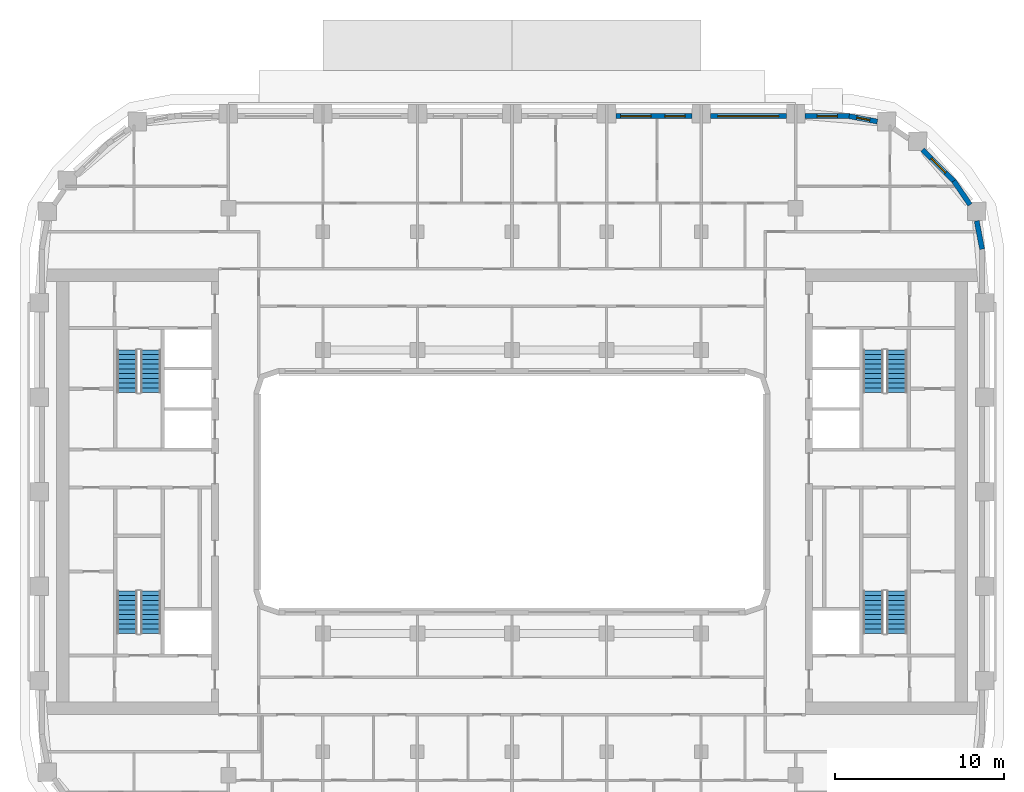
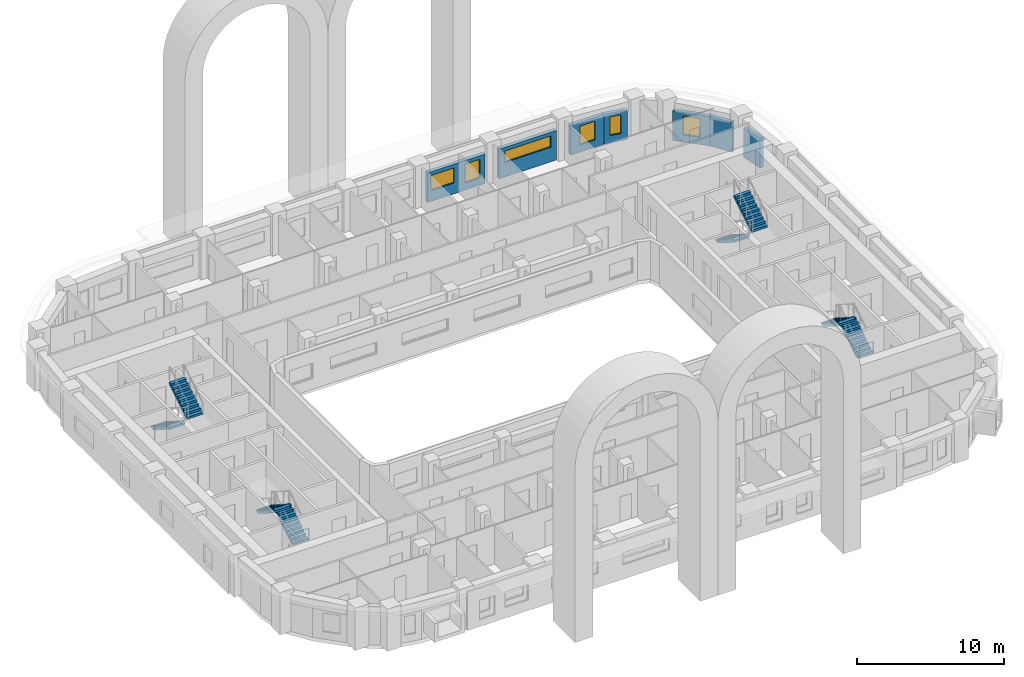
# One storey, part 10 of 18: 8 stair flights, 7 walls, 6 windows, 6 openings, 4 elements without a shape of their own.
"""IFC4 building model written with IfcOpenShell, lengths in metres."""

from ifc_helpers import new_model, si_unit, direction, frame, frame_2d, origin, place, context, subcontext, project, spatial, polyline, rectangle, outline, extrude, material, layer, layer_set, type_object, element, fill, aggregate, save


model = new_model("IFC4")

# Units and contexts
model_context = context("Model", 3, precision=1e-05, world=origin(), true_north=direction((0.0, 1.0)))
body_context = subcontext(model_context, "Body", "Model", "MODEL_VIEW")
ifc_project = project(units=[si_unit("LENGTHUNIT", "METRE"), si_unit("AREAUNIT", "SQUARE_METRE"), si_unit("VOLUMEUNIT", "CUBIC_METRE"), si_unit("PLANEANGLEUNIT", "RADIAN"), si_unit("MASSUNIT", "GRAM", prefix="KILO")], contexts=[model_context])

# Site, building, storey
site_placement = place(None, origin())
site = spatial("IfcSite", under=ifc_project, at=site_placement, CompositionType="ELEMENT")
building_placement = place(site_placement, origin())
building = spatial("IfcBuilding", under=site, at=building_placement, Name="Kiln Ring Residences", CompositionType="ELEMENT")
storey_placement = place(building_placement, frame((0.0, 0.0, 157.10009765625)))
storey = spatial("IfcBuildingStorey", under=building, at=storey_placement, Name="L40", CompositionType="ELEMENT", Elevation=157.10009765625)

# Walls
ifc_material_1 = material(Name="Brick masonry, dark clay brick", Category="masonry")
ifc_layer = layer(ifc_material_1, 0.300048828125)
ifc_layer_set = layer_set([ifc_layer], Name="EW-300 BRICK WALL")
wall_type = type_object("IfcWallType", Name="EW-300 BRICK WALL", PredefinedType="SOLIDWALL", material=ifc_layer_set)
wall_1_placement = place(storey_placement, frame((27.8525390625, 14.371826171875, 0.0), z_axis=(0.0, 0.0, 1.0), x_axis=(-0.187302784601, 0.982302227871, 0.0)))
element("IfcWall", 1, at=wall_1_placement, inside=storey, type_object=wall_type, Name="Facade wall L40 23", PredefinedType="SOLIDWALL", context=body_context, shape_type="SweptSolid", body=[
    extrude(rectangle(XDim=1.706298828125, YDim=0.300048828125, at=frame_2d((0.85302734375, 0.0))), origin(), (0.0, 0.0, 1.0), 2.449951171875),
])
wall_2_placement = place(storey_placement, frame((27.137939453125, 17.001708984375, 0.0), z_axis=(0.0, 0.0, 1.0), x_axis=(-0.562075160946, 0.827086158419, 0.0)))
element("IfcWall", 2, at=wall_2_placement, inside=storey, type_object=wall_type, Name="Facade wall L40 24", PredefinedType="SOLIDWALL", context=body_context, shape_type="SweptSolid", body=[
    extrude(rectangle(XDim=1.7060546875, YDim=0.300048828125, at=frame_2d((0.85302734375, 0.0))), origin(), (0.0, 0.0, 1.0), 2.449951171875),
])

# Wall, opening, window
wall_3_placement = place(storey_placement, frame((26.19677734375, 18.390869140625, 0.0), z_axis=(0.0, 0.0, 1.0), x_axis=(-0.707060717099, 0.707152842274, 0.0)))
wall_3 = element("IfcWall", 3, at=wall_3_placement, inside=storey, type_object=wall_type, Name="Facade wall L40 25", PredefinedType="SOLIDWALL", context=body_context, shape_type="SweptSolid", body=[
    extrude(rectangle(XDim=2.650146484375, YDim=0.300048828125, at=frame_2d((1.3251953125, 0.0))), origin(), (0.0, 0.0, 1.0), 2.449951171875),
])
opening_1_placement = place(wall_3_placement, frame((0.72509765625, 0.0, 0.60009765625)))
opening_1 = element("IfcOpeningElement", 4, at=opening_1_placement, cuts=wall_3, Name="Opening W1", PredefinedType="OPENING", context=body_context, shape_type="SweptSolid", body=[
    extrude(rectangle(XDim=1.199951171875, YDim=1.550048828125, at=frame_2d((0.60009765625, 0.77490234375))), frame((0.0, 0.159912109375, 0.0), z_axis=(0.0, -1.0, 0.0), x_axis=(1.0, 0.0, 0.0)), (0.0, 0.0, 1.0), 0.320068359375),
])
ifc_material_2 = material(Name="Aluminium frame with double glazing", Category="aluminium")
window_type_1 = type_object("IfcWindowType", Name="WINDOW 1200 x 1550", PartitioningType="SINGLE_PANEL", PredefinedType="WINDOW", material=ifc_material_2)
window_1_placement = place(opening_1_placement, origin())
window_1 = element("IfcWindow", 5, at=window_1_placement, inside=storey, type_object=window_type_1, Name="Window L40 16", OverallHeight=1.550048828125, OverallWidth=1.199951171875, PartitioningType="SINGLE_PANEL", PredefinedType="WINDOW", context=body_context, shape_type="SweptSolid", body=[
    extrude(rectangle(XDim=1.199951171875, YDim=1.550048828125, at=frame_2d((0.60009765625, 0.77490234375))), frame((0.0, 0.030029296875, 0.0), z_axis=(0.0, -1.0, 0.0), x_axis=(1.0, 0.0, 0.0)), (0.0, 0.0, 1.0), 0.06005859375),
])
fill(opening_1, window_1)

wall_4_placement = place(storey_placement, frame((21.647705078125, 21.93310546875, 0.0), z_axis=(0.0, 0.0, 1.0), x_axis=(-0.982297206936, 0.187329114784, 0.0)))
wall_4 = element("IfcWall", 6, at=wall_4_placement, inside=storey, type_object=wall_type, Name="Facade wall L40 27", PredefinedType="SOLIDWALL", context=body_context, shape_type="SweptSolid", body=[
    extrude(rectangle(XDim=1.7060546875, YDim=0.300048828125, at=frame_2d((0.85302734375, 0.0))), origin(), (0.0, 0.0, 1.0), 2.449951171875),
])
opening_2_placement = place(wall_4_placement, frame((0.453125, 0.0, 0.60009765625)))
opening_2 = element("IfcOpeningElement", 7, at=opening_2_placement, cuts=wall_4, Name="Opening W5", PredefinedType="OPENING", context=body_context, shape_type="SweptSolid", body=[
    extrude(rectangle(XDim=0.800048828125, YDim=1.550048828125, at=frame_2d((0.39990234375, 0.77490234375))), frame((0.0, 0.159912109375, 0.0), z_axis=(0.0, -1.0, 0.0), x_axis=(1.0, 0.0, 0.0)), (0.0, 0.0, 1.0), 0.320068359375),
])
ifc_material_3 = material(Name="Aluminium frame with double glazing", Category="aluminium")
window_type_2 = type_object("IfcWindowType", Name="WINDOW 800 x 1550", PartitioningType="SINGLE_PANEL", PredefinedType="WINDOW", material=ifc_material_3)
window_2_placement = place(opening_2_placement, origin())
window_2 = element("IfcWindow", 8, at=window_2_placement, inside=storey, type_object=window_type_2, Name="Window L40 17", OverallHeight=1.550048828125, OverallWidth=0.800048828125, PartitioningType="SINGLE_PANEL", PredefinedType="WINDOW", context=body_context, shape_type="SweptSolid", body=[
    extrude(rectangle(XDim=0.800048828125, YDim=1.550048828125, at=frame_2d((0.39990234375, 0.77490234375))), frame((0.0, 0.030029296875, 0.0), z_axis=(0.0, -1.0, 0.0), x_axis=(1.0, 0.0, 0.0)), (0.0, 0.0, 1.0), 0.06005859375),
])
fill(opening_2, window_2)

wall_5_placement = place(storey_placement, frame((20.0, 22.25, 0.0), z_axis=(0.0, 0.0, 1.0), x_axis=(-1.0, 0.0, 0.0)))
wall_5 = element("IfcWall", 9, at=wall_5_placement, inside=storey, type_object=wall_type, Name="Facade wall L40 28", PredefinedType="SOLIDWALL", context=body_context, shape_type="SweptSolid", body=[
    extrude(rectangle(XDim=2.64990234375, YDim=0.300048828125, at=frame_2d((1.324951171875, 0.0))), origin(), (0.0, 0.0, 1.0), 2.449951171875),
])
opening_3_placement = place(wall_5_placement, frame((0.72509765625, 0.0, 0.60009765625)))
opening_3 = element("IfcOpeningElement", 10, at=opening_3_placement, cuts=wall_5, Name="Opening W1", PredefinedType="OPENING", context=body_context, shape_type="SweptSolid", body=[
    extrude(rectangle(XDim=1.199951171875, YDim=1.550048828125, at=frame_2d((0.60009765625, 0.77490234375))), frame((0.0, 0.159912109375, 0.0), z_axis=(0.0, -1.0, 0.0), x_axis=(1.0, 0.0, 0.0)), (0.0, 0.0, 1.0), 0.320068359375),
])
window_3_placement = place(opening_3_placement, origin())
window_3 = element("IfcWindow", 11, at=window_3_placement, inside=storey, type_object=window_type_1, Name="Window L40 18", OverallHeight=1.550048828125, OverallWidth=1.199951171875, PartitioningType="SINGLE_PANEL", PredefinedType="WINDOW", context=body_context, shape_type="SweptSolid", body=[
    extrude(rectangle(XDim=1.199951171875, YDim=1.550048828125, at=frame_2d((0.60009765625, 0.77490234375))), frame((0.0, 0.030029296875, 0.0), z_axis=(0.0, -1.0, 0.0), x_axis=(1.0, 0.0, 0.0)), (0.0, 0.0, 1.0), 0.06005859375),
])
fill(opening_3, window_3)

wall_6_placement = place(storey_placement, frame((16.25, 22.25, 0.0), z_axis=(0.0, 0.0, 1.0), x_axis=(-1.0, 0.0, 0.0)))
wall_6 = element("IfcWall", 12, at=wall_6_placement, inside=storey, type_object=wall_type, Name="Facade wall L40 29", PredefinedType="SOLIDWALL", context=body_context, shape_type="SweptSolid", body=[
    extrude(rectangle(XDim=4.5, YDim=0.300048828125, at=frame_2d((2.25, 0.0))), origin(), (0.0, 0.0, 1.0), 2.449951171875),
])
opening_4_placement = place(wall_6_placement, frame((0.449951171875, 0.0, 1.199951171875)))
opening_4 = element("IfcOpeningElement", 13, at=opening_4_placement, cuts=wall_6, Name="Opening W4", PredefinedType="OPENING", context=body_context, shape_type="SweptSolid", body=[
    extrude(rectangle(XDim=3.60009765625, YDim=0.949951171875, at=frame_2d((1.800048828125, 0.47509765625))), frame((0.0, 0.159912109375, 0.0), z_axis=(0.0, -1.0, 0.0), x_axis=(1.0, 0.0, 0.0)), (0.0, 0.0, 1.0), 0.320068359375),
])
ifc_material_4 = material(Name="Aluminium frame with double glazing", Category="aluminium")
window_type_3 = type_object("IfcWindowType", Name="WINDOW 3600 x 950", PartitioningType="SINGLE_PANEL", PredefinedType="WINDOW", material=ifc_material_4)
window_4_placement = place(opening_4_placement, origin())
window_4 = element("IfcWindow", 14, at=window_4_placement, inside=storey, type_object=window_type_3, Name="Window L40 19", OverallHeight=0.949951171875, OverallWidth=3.60009765625, PartitioningType="SINGLE_PANEL", PredefinedType="WINDOW", context=body_context, shape_type="SweptSolid", body=[
    extrude(rectangle(XDim=3.60009765625, YDim=0.949951171875, at=frame_2d((1.800048828125, 0.47509765625))), frame((0.0, 0.030029296875, 0.0), z_axis=(0.0, -1.0, 0.0), x_axis=(1.0, 0.0, 0.0)), (0.0, 0.0, 1.0), 0.06005859375),
])
fill(opening_4, window_4)

# Wall, openings, windows
wall_7_placement = place(storey_placement, frame((10.64990234375, 22.25, 0.0), z_axis=(0.0, 0.0, 1.0), x_axis=(-1.0, 0.0, 0.0)))
wall_7 = element("IfcWall", 15, at=wall_7_placement, inside=storey, type_object=wall_type, Name="Facade wall L40 30", PredefinedType="SOLIDWALL", context=body_context, shape_type="SweptSolid", body=[
    extrude(rectangle(XDim=4.5, YDim=0.300048828125, at=frame_2d((2.25, 0.0))), origin(), (0.0, 0.0, 1.0), 2.449951171875),
])
opening_5_placement = place(wall_7_placement, frame((0.387451171875, 0.0, 0.60009765625)))
opening_5 = element("IfcOpeningElement", 16, at=opening_5_placement, cuts=wall_7, Name="Opening W1", PredefinedType="OPENING", context=body_context, shape_type="SweptSolid", body=[
    extrude(rectangle(XDim=1.199951171875, YDim=1.550048828125, at=frame_2d((0.60009765625, 0.77490234375))), frame((0.0, 0.159912109375, 0.0), z_axis=(0.0, -1.0, 0.0), x_axis=(1.0, 0.0, 0.0)), (0.0, 0.0, 1.0), 0.320068359375),
])
opening_6_placement = place(wall_7_placement, frame((2.41259765625, 0.0, 0.89990234375)))
opening_6 = element("IfcOpeningElement", 17, at=opening_6_placement, cuts=wall_7, Name="Opening W2", PredefinedType="OPENING", context=body_context, shape_type="SweptSolid", body=[
    extrude(rectangle(XDim=1.800048828125, YDim=1.25, at=frame_2d((0.89990234375, 0.625))), frame((0.0, 0.159912109375, 0.0), z_axis=(0.0, -1.0, 0.0), x_axis=(1.0, 0.0, 0.0)), (0.0, 0.0, 1.0), 0.320068359375),
])
window_5_placement = place(opening_5_placement, origin())
window_5 = element("IfcWindow", 18, at=window_5_placement, inside=storey, type_object=window_type_1, Name="Window L40 20", OverallHeight=1.550048828125, OverallWidth=1.199951171875, PartitioningType="SINGLE_PANEL", PredefinedType="WINDOW", context=body_context, shape_type="SweptSolid", body=[
    extrude(rectangle(XDim=1.199951171875, YDim=1.550048828125, at=frame_2d((0.60009765625, 0.77490234375))), frame((0.0, 0.030029296875, 0.0), z_axis=(0.0, -1.0, 0.0), x_axis=(1.0, 0.0, 0.0)), (0.0, 0.0, 1.0), 0.06005859375),
])
fill(opening_5, window_5)
ifc_material_5 = material(Name="Aluminium frame with double glazing", Category="aluminium")
window_type_4 = type_object("IfcWindowType", Name="WINDOW 1800 x 1250", PartitioningType="SINGLE_PANEL", PredefinedType="WINDOW", material=ifc_material_5)
window_6_placement = place(opening_6_placement, origin())
window_6 = element("IfcWindow", 19, at=window_6_placement, inside=storey, type_object=window_type_4, Name="Window L40 21", OverallHeight=1.25, OverallWidth=1.800048828125, PartitioningType="SINGLE_PANEL", PredefinedType="WINDOW", context=body_context, shape_type="SweptSolid", body=[
    extrude(rectangle(XDim=1.800048828125, YDim=1.25, at=frame_2d((0.89990234375, 0.625))), frame((0.0, 0.030029296875, 0.0), z_axis=(0.0, -1.0, 0.0), x_axis=(1.0, 0.0, 0.0)), (0.0, 0.0, 1.0), 0.06005859375),
])
fill(opening_6, window_6)

# Stair, stair flights
ifc_material_6 = material(Name="Concrete C40/50", Category="concrete")
stair_type = type_object("IfcStairType", Name="CORE-STAIR", PredefinedType="HALF_TURN_STAIR", material=ifc_material_6)
placement = place(storey_placement, origin())
stair_1 = element("IfcStair", 20, at=placement, inside=storey, type_object=stair_type, Name="L40 stair W-STN", PredefinedType="HALF_TURN_STAIR")
ifc_material_7 = material(Name="Concrete C40/50", Category="concrete")
stair_flight_type = type_object("IfcStairFlightType", Name="CORE-STAIR-FLIGHT", PredefinedType="STRAIGHT", material=ifc_material_7)
stair_flight_1_placement = place(storey_placement, frame((-22.800048828125, 8.39990234375, 0.0), z_axis=(0.0, 0.0, 1.0), x_axis=(0.0, -1.0, 0.0)))
stair_flight_1 = element("IfcStairFlight", 21, at=stair_flight_1_placement, type_object=stair_flight_type, Name="W-STN flight 1", NumberOfRisers=10, NumberOfTreads=9, PredefinedType="STRAIGHT", RiserHeight=0.175, TreadLength=0.28, context=body_context, shape_type="SweptSolid", body=[
    extrude(outline(polyline([(0.0, 0.0), (0.0, 0.175048828125), (0.280029296875, 0.175048828125), (0.280029296875, 0.35009765625), (0.56005859375, 0.35009765625), (0.56005859375, 0.52490234375), (0.840087890625, 0.52490234375), (0.840087890625, 0.699951171875), (1.1201171875, 0.699951171875), (1.1201171875, 0.875), (1.39990234375, 0.875), (1.39990234375, 1.050048828125), (1.679931640625, 1.050048828125), (1.679931640625, 1.22509765625), (1.9599609375, 1.22509765625), (1.9599609375, 1.39990234375), (2.239990234375, 1.39990234375), (2.239990234375, 1.574951171875), (2.52001953125, 1.574951171875), (2.52001953125, 1.75), (2.52001953125, 1.398193359375), (0.28271484375, 0.0), (0.0, 0.0)])), frame((0.0, 0.60009765625, 0.0), z_axis=(0.0, -1.0, 0.0), x_axis=(1.0, 0.0, 0.0)), (0.0, 0.0, 1.0), 1.199951171875),
])
stair_flight_2_placement = place(storey_placement, frame((-21.39990234375, 5.8798828125, 1.75), z_axis=(0.0, 0.0, 1.0), x_axis=(0.0, 1.0, 0.0)))
stair_flight_2 = element("IfcStairFlight", 22, at=stair_flight_2_placement, type_object=stair_flight_type, Name="W-STN flight 2", NumberOfRisers=10, NumberOfTreads=9, PredefinedType="STRAIGHT", RiserHeight=0.175, TreadLength=0.28, context=body_context, shape_type="SweptSolid", body=[
    extrude(outline(polyline([(0.0, 0.0), (0.0, 0.175048828125), (0.280029296875, 0.175048828125), (0.280029296875, 0.35009765625), (0.56005859375, 0.35009765625), (0.56005859375, 0.52490234375), (0.840087890625, 0.52490234375), (0.840087890625, 0.699951171875), (1.1201171875, 0.699951171875), (1.1201171875, 0.875), (1.39990234375, 0.875), (1.39990234375, 1.050048828125), (1.679931640625, 1.050048828125), (1.679931640625, 1.22509765625), (1.9599609375, 1.22509765625), (1.9599609375, 1.39990234375), (2.239990234375, 1.39990234375), (2.239990234375, 1.574951171875), (2.52001953125, 1.574951171875), (2.52001953125, 1.75), (2.52001953125, 1.398193359375), (0.28271484375, 0.0), (0.0, 0.0)])), frame((0.0, 0.60009765625, 0.0), z_axis=(0.0, -1.0, 0.0), x_axis=(1.0, 0.0, 0.0)), (0.0, 0.0, 1.0), 1.199951171875),
])
aggregate(stair_1, [stair_flight_1, stair_flight_2])

stair_2 = element("IfcStair", 23, at=placement, inside=storey, type_object=stair_type, Name="L40 stair W-STS", PredefinedType="HALF_TURN_STAIR")
stair_flight_3_placement = place(storey_placement, frame((-21.39990234375, -8.39990234375, 0.0), z_axis=(0.0, 0.0, 1.0), x_axis=(0.0, 1.0, 0.0)))
stair_flight_3 = element("IfcStairFlight", 24, at=stair_flight_3_placement, type_object=stair_flight_type, Name="W-STS flight 1", NumberOfRisers=10, NumberOfTreads=9, PredefinedType="STRAIGHT", RiserHeight=0.175, TreadLength=0.28, context=body_context, shape_type="SweptSolid", body=[
    extrude(outline(polyline([(0.0, 0.0), (0.0, 0.175048828125), (0.280029296875, 0.175048828125), (0.280029296875, 0.35009765625), (0.56005859375, 0.35009765625), (0.56005859375, 0.52490234375), (0.840087890625, 0.52490234375), (0.840087890625, 0.699951171875), (1.1201171875, 0.699951171875), (1.1201171875, 0.875), (1.39990234375, 0.875), (1.39990234375, 1.050048828125), (1.679931640625, 1.050048828125), (1.679931640625, 1.22509765625), (1.9599609375, 1.22509765625), (1.9599609375, 1.39990234375), (2.239990234375, 1.39990234375), (2.239990234375, 1.574951171875), (2.52001953125, 1.574951171875), (2.52001953125, 1.75), (2.52001953125, 1.398193359375), (0.28271484375, 0.0), (0.0, 0.0)])), frame((0.0, 0.60009765625, 0.0), z_axis=(0.0, -1.0, 0.0), x_axis=(1.0, 0.0, 0.0)), (0.0, 0.0, 1.0), 1.199951171875),
])
stair_flight_4_placement = place(storey_placement, frame((-22.800048828125, -5.8798828125, 1.75), z_axis=(0.0, 0.0, 1.0), x_axis=(0.0, -1.0, 0.0)))
stair_flight_4 = element("IfcStairFlight", 25, at=stair_flight_4_placement, type_object=stair_flight_type, Name="W-STS flight 2", NumberOfRisers=10, NumberOfTreads=9, PredefinedType="STRAIGHT", RiserHeight=0.175, TreadLength=0.28, context=body_context, shape_type="SweptSolid", body=[
    extrude(outline(polyline([(0.0, 0.0), (0.0, 0.175048828125), (0.280029296875, 0.175048828125), (0.280029296875, 0.35009765625), (0.56005859375, 0.35009765625), (0.56005859375, 0.52490234375), (0.840087890625, 0.52490234375), (0.840087890625, 0.699951171875), (1.1201171875, 0.699951171875), (1.1201171875, 0.875), (1.39990234375, 0.875), (1.39990234375, 1.050048828125), (1.679931640625, 1.050048828125), (1.679931640625, 1.22509765625), (1.9599609375, 1.22509765625), (1.9599609375, 1.39990234375), (2.239990234375, 1.39990234375), (2.239990234375, 1.574951171875), (2.52001953125, 1.574951171875), (2.52001953125, 1.75), (2.52001953125, 1.398193359375), (0.28271484375, 0.0), (0.0, 0.0)])), frame((0.0, 0.60009765625, 0.0), z_axis=(0.0, -1.0, 0.0), x_axis=(1.0, 0.0, 0.0)), (0.0, 0.0, 1.0), 1.199951171875),
])
aggregate(stair_2, [stair_flight_3, stair_flight_4])

stair_3 = element("IfcStair", 26, at=placement, inside=storey, type_object=stair_type, Name="L40 stair E-STN", PredefinedType="HALF_TURN_STAIR")
stair_flight_5_placement = place(storey_placement, frame((21.39990234375, 8.39990234375, 0.0), z_axis=(0.0, 0.0, 1.0), x_axis=(0.0, -1.0, 0.0)))
stair_flight_5 = element("IfcStairFlight", 27, at=stair_flight_5_placement, type_object=stair_flight_type, Name="E-STN flight 1", NumberOfRisers=10, NumberOfTreads=9, PredefinedType="STRAIGHT", RiserHeight=0.175, TreadLength=0.28, context=body_context, shape_type="SweptSolid", body=[
    extrude(outline(polyline([(0.0, 0.0), (0.0, 0.175048828125), (0.280029296875, 0.175048828125), (0.280029296875, 0.35009765625), (0.56005859375, 0.35009765625), (0.56005859375, 0.52490234375), (0.840087890625, 0.52490234375), (0.840087890625, 0.699951171875), (1.1201171875, 0.699951171875), (1.1201171875, 0.875), (1.39990234375, 0.875), (1.39990234375, 1.050048828125), (1.679931640625, 1.050048828125), (1.679931640625, 1.22509765625), (1.9599609375, 1.22509765625), (1.9599609375, 1.39990234375), (2.239990234375, 1.39990234375), (2.239990234375, 1.574951171875), (2.52001953125, 1.574951171875), (2.52001953125, 1.75), (2.52001953125, 1.398193359375), (0.28271484375, 0.0), (0.0, 0.0)])), frame((0.0, 0.60009765625, 0.0), z_axis=(0.0, -1.0, 0.0), x_axis=(1.0, 0.0, 0.0)), (0.0, 0.0, 1.0), 1.199951171875),
])
stair_flight_6_placement = place(storey_placement, frame((22.800048828125, 5.8798828125, 1.75), z_axis=(0.0, 0.0, 1.0), x_axis=(0.0, 1.0, 0.0)))
stair_flight_6 = element("IfcStairFlight", 28, at=stair_flight_6_placement, type_object=stair_flight_type, Name="E-STN flight 2", NumberOfRisers=10, NumberOfTreads=9, PredefinedType="STRAIGHT", RiserHeight=0.175, TreadLength=0.28, context=body_context, shape_type="SweptSolid", body=[
    extrude(outline(polyline([(0.0, 0.0), (0.0, 0.175048828125), (0.280029296875, 0.175048828125), (0.280029296875, 0.35009765625), (0.56005859375, 0.35009765625), (0.56005859375, 0.52490234375), (0.840087890625, 0.52490234375), (0.840087890625, 0.699951171875), (1.1201171875, 0.699951171875), (1.1201171875, 0.875), (1.39990234375, 0.875), (1.39990234375, 1.050048828125), (1.679931640625, 1.050048828125), (1.679931640625, 1.22509765625), (1.9599609375, 1.22509765625), (1.9599609375, 1.39990234375), (2.239990234375, 1.39990234375), (2.239990234375, 1.574951171875), (2.52001953125, 1.574951171875), (2.52001953125, 1.75), (2.52001953125, 1.398193359375), (0.28271484375, 0.0), (0.0, 0.0)])), frame((0.0, 0.60009765625, 0.0), z_axis=(0.0, -1.0, 0.0), x_axis=(1.0, 0.0, 0.0)), (0.0, 0.0, 1.0), 1.199951171875),
])
aggregate(stair_3, [stair_flight_5, stair_flight_6])

stair_4 = element("IfcStair", 29, at=placement, inside=storey, type_object=stair_type, Name="L40 stair E-STS", PredefinedType="HALF_TURN_STAIR")
stair_flight_7_placement = place(storey_placement, frame((22.800048828125, -8.39990234375, 0.0), z_axis=(0.0, 0.0, 1.0), x_axis=(0.0, 1.0, 0.0)))
stair_flight_7 = element("IfcStairFlight", 30, at=stair_flight_7_placement, type_object=stair_flight_type, Name="E-STS flight 1", NumberOfRisers=10, NumberOfTreads=9, PredefinedType="STRAIGHT", RiserHeight=0.175, TreadLength=0.28, context=body_context, shape_type="SweptSolid", body=[
    extrude(outline(polyline([(0.0, 0.0), (0.0, 0.175048828125), (0.280029296875, 0.175048828125), (0.280029296875, 0.35009765625), (0.56005859375, 0.35009765625), (0.56005859375, 0.52490234375), (0.840087890625, 0.52490234375), (0.840087890625, 0.699951171875), (1.1201171875, 0.699951171875), (1.1201171875, 0.875), (1.39990234375, 0.875), (1.39990234375, 1.050048828125), (1.679931640625, 1.050048828125), (1.679931640625, 1.22509765625), (1.9599609375, 1.22509765625), (1.9599609375, 1.39990234375), (2.239990234375, 1.39990234375), (2.239990234375, 1.574951171875), (2.52001953125, 1.574951171875), (2.52001953125, 1.75), (2.52001953125, 1.398193359375), (0.28271484375, 0.0), (0.0, 0.0)])), frame((0.0, 0.60009765625, 0.0), z_axis=(0.0, -1.0, 0.0), x_axis=(1.0, 0.0, 0.0)), (0.0, 0.0, 1.0), 1.199951171875),
])
stair_flight_8_placement = place(storey_placement, frame((21.39990234375, -5.8798828125, 1.75), z_axis=(0.0, 0.0, 1.0), x_axis=(0.0, -1.0, 0.0)))
stair_flight_8 = element("IfcStairFlight", 31, at=stair_flight_8_placement, type_object=stair_flight_type, Name="E-STS flight 2", NumberOfRisers=10, NumberOfTreads=9, PredefinedType="STRAIGHT", RiserHeight=0.175, TreadLength=0.28, context=body_context, shape_type="SweptSolid", body=[
    extrude(outline(polyline([(0.0, 0.0), (0.0, 0.175048828125), (0.280029296875, 0.175048828125), (0.280029296875, 0.35009765625), (0.56005859375, 0.35009765625), (0.56005859375, 0.52490234375), (0.840087890625, 0.52490234375), (0.840087890625, 0.699951171875), (1.1201171875, 0.699951171875), (1.1201171875, 0.875), (1.39990234375, 0.875), (1.39990234375, 1.050048828125), (1.679931640625, 1.050048828125), (1.679931640625, 1.22509765625), (1.9599609375, 1.22509765625), (1.9599609375, 1.39990234375), (2.239990234375, 1.39990234375), (2.239990234375, 1.574951171875), (2.52001953125, 1.574951171875), (2.52001953125, 1.75), (2.52001953125, 1.398193359375), (0.28271484375, 0.0), (0.0, 0.0)])), frame((0.0, 0.60009765625, 0.0), z_axis=(0.0, -1.0, 0.0), x_axis=(1.0, 0.0, 0.0)), (0.0, 0.0, 1.0), 1.199951171875),
])
aggregate(stair_4, [stair_flight_7, stair_flight_8])

save(model, "model.ifc")
